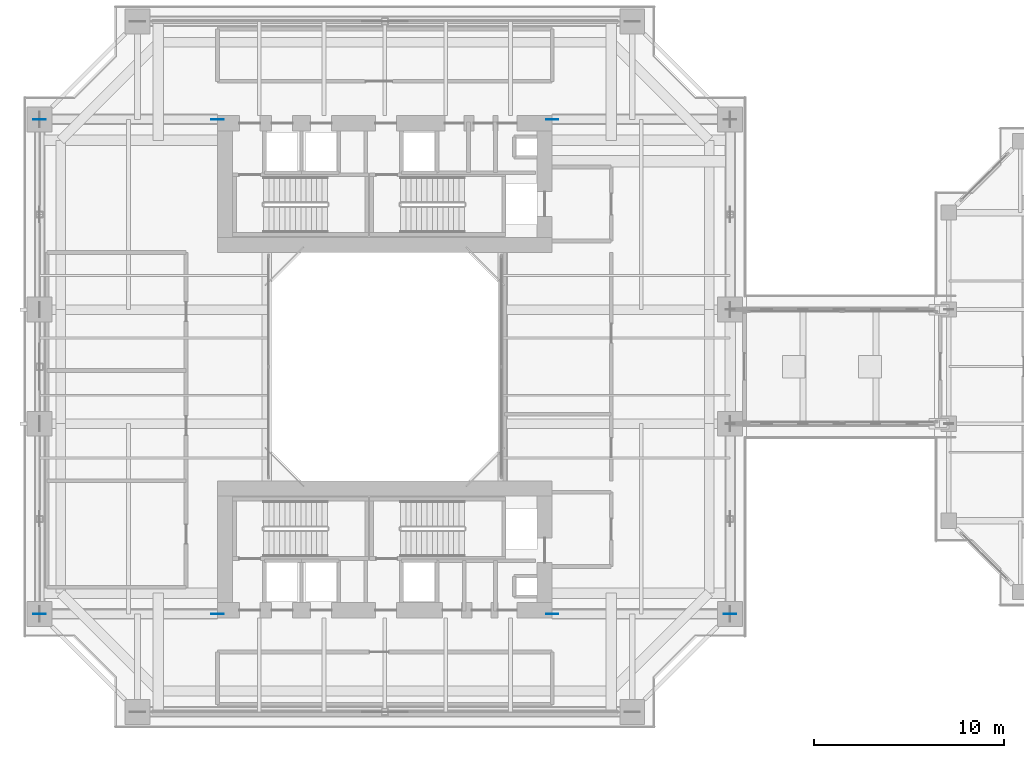
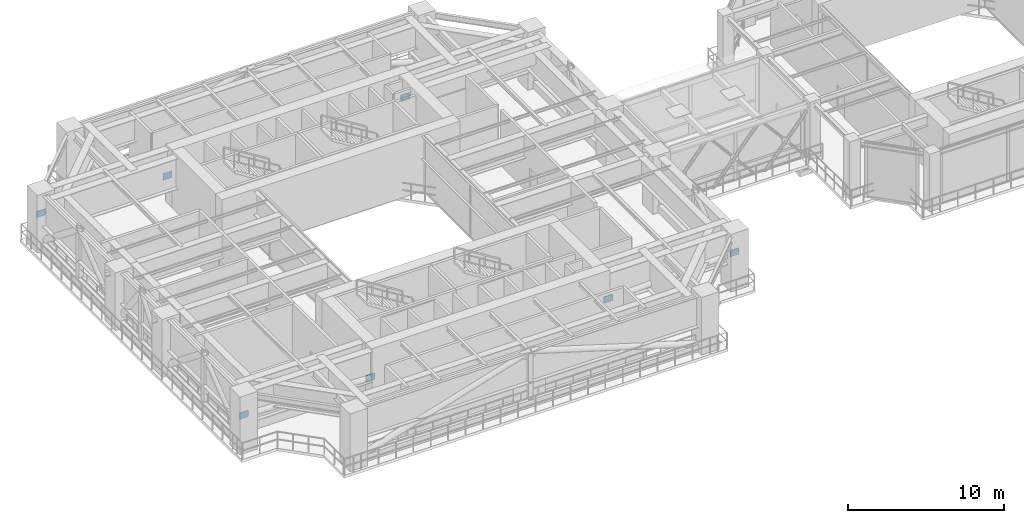
# One storey, part 15 of 25: 7 plates.
"""IFC4 building model written with IfcOpenShell, lengths in metres."""

import ifcopenshell
import ifcopenshell.guid

model = None  # the IFC model being written
_history = None  # IfcOwnerHistory: only IFC2X3 demands one
_inside = {}  # id of a spatial element -> (the spatial element, [elements in it])
_under = {}  # id of a project, library or spatial element -> (it, [spatial elements below it])
_declared = {}  # id of a project -> (the project, [libraries it declares])
_typed = {}  # id of a type object -> (the type object, [elements of that type])
_made_of = {}  # id of a material, layer set ... -> (it, [elements and type objects made of it])


def new_model(schema):
    """Start an empty IFC model of exactly this schema.

    Asked for "IFC4X3", IfcOpenShell would pick the latest addendum, in which some entities
    have other attributes; the version numbers below select the first issue.
    IFC2X3 requires an IfcOwnerHistory on every rooted entity: one is made here for all.
    """
    global model, _history
    if schema == "IFC4X3":
        model = ifcopenshell.file(schema_version=(4, 3, 0, 0))
    else:
        model = ifcopenshell.file(schema=schema)
    _inside.clear()
    _under.clear()
    _declared.clear()
    _typed.clear()
    _made_of.clear()
    _history = None
    if model.schema == "IFC2X3":
        org = make("IfcOrganization", Name="unknown")
        user = make(
            "IfcPersonAndOrganization",
            ThePerson=make("IfcPerson", FamilyName="unknown"),
            TheOrganization=org,
        )
        app = make(
            "IfcApplication",
            ApplicationDeveloper=org,
            Version="unknown",
            ApplicationFullName="unknown",
            ApplicationIdentifier="unknown",
        )
        _history = make(
            "IfcOwnerHistory",
            OwningUser=user,
            OwningApplication=app,
            ChangeAction="ADDED",
            CreationDate=0,
        )
    return model


def make(cls, **values):
    """One entity of the class cls with the attributes given. An attribute that is None is left unset."""
    return model.create_entity(
        cls, **{name: value for name, value in values.items() if value is not None}
    )


def rooted(cls, **values):
    """An entity with a GlobalId (a new one), such as an element, a storey or a relation."""
    return make(cls, GlobalId=ifcopenshell.guid.new(), OwnerHistory=_history, **values)


def si_unit(unit_type, name, prefix=None):
    """IfcSIUnit, for example si_unit("LENGTHUNIT", "METRE", prefix="MILLI")."""
    return make("IfcSIUnit", UnitType=unit_type, Prefix=prefix, Name=name)


def assignment(units):
    """IfcUnitAssignment: the units of a project."""
    return None if units is None else make("IfcUnitAssignment", Units=units)


def point(xyz):
    """IfcCartesianPoint."""
    return None if xyz is None else make("IfcCartesianPoint", Coordinates=xyz)


def direction(xyz):
    """IfcDirection."""
    return None if xyz is None else make("IfcDirection", DirectionRatios=xyz)


def frame(location, z_axis=None, x_axis=None):
    """IfcAxis2Placement3D, a coordinate frame: its origin and axes. An axis left out is left unset."""
    return make(
        "IfcAxis2Placement3D",
        Location=point(location),
        Axis=direction(z_axis),
        RefDirection=direction(x_axis),
    )


def frame_2d(location, x_axis=None):
    """IfcAxis2Placement2D, a coordinate frame in the plane: its origin and x axis."""
    return make(
        "IfcAxis2Placement2D", Location=point(location), RefDirection=direction(x_axis)
    )


def origin():
    """The frame at (0, 0, 0) with its axes left unset."""
    return frame((0.0, 0.0, 0.0))


def origin_2d():
    """The frame at (0, 0) in the plane with its x axis left unset."""
    return frame_2d((0.0, 0.0))


def place(relative_to, where):
    """IfcLocalPlacement: puts the frame where relative to a parent placement (None: the world)."""
    return make(
        "IfcLocalPlacement", PlacementRelTo=relative_to, RelativePlacement=where
    )


def context(
    kind, dimensions, precision=None, world=None, true_north=None, identifier=None
):
    """IfcGeometricRepresentationContext, for example the 3D "Model" context."""
    return make(
        "IfcGeometricRepresentationContext",
        ContextIdentifier=identifier,
        ContextType=kind,
        CoordinateSpaceDimension=dimensions,
        Precision=precision,
        WorldCoordinateSystem=world,
        TrueNorth=true_north,
    )


def subcontext(parent, identifier, kind, view, scale=None):
    """IfcGeometricRepresentationSubContext, for example "Body" below "Model"."""
    return make(
        "IfcGeometricRepresentationSubContext",
        ContextIdentifier=identifier,
        ContextType=kind,
        ParentContext=parent,
        TargetScale=scale,
        TargetView=view,
    )


def project(units=None, contexts=None):
    """IfcProject with its units and contexts."""
    return rooted(
        "IfcProject",
        Name="project",
        RepresentationContexts=contexts,
        UnitsInContext=assignment(units),
    )


def spatial(cls, under=None, at=None, **own):
    """A site, building, storey or space (cls), placed at a placement, below another one or the project."""
    s = rooted(cls, ObjectPlacement=at, **own)
    if under is not None:
        _under.setdefault(under.id(), (under, []))[1].append(s)
    return s


def profile(cls, at=None, kind="AREA", **sizes):
    """A parametric profile (cls). Its sizes go by their IFC names, for example OverallWidth=200.0."""
    return make(cls, ProfileType=kind, Position=at, **sizes)


def rectangle(**sizes):
    """IfcRectangleProfileDef."""
    return profile("IfcRectangleProfileDef", **sizes)


def extrude(swept, where, along, depth):
    """IfcExtrudedAreaSolid: the profile swept, set in the frame where, extruded along a direction by depth."""
    return make(
        "IfcExtrudedAreaSolid",
        SweptArea=swept,
        Position=where,
        ExtrudedDirection=direction(along),
        Depth=depth,
    )


def shape(context_of_items, identifier, shape_type, items):
    """IfcShapeRepresentation: the items that make up one representation, for example the "Body"."""
    return make(
        "IfcShapeRepresentation",
        ContextOfItems=context_of_items,
        RepresentationIdentifier=identifier,
        RepresentationType=shape_type,
        Items=items,
    )


def source(mapping_origin, context_of_items, identifier, shape_type, items):
    """IfcRepresentationMap: a shape defined once, which mapped items show again and again."""
    return make(
        "IfcRepresentationMap",
        MappingOrigin=mapping_origin,
        MappedRepresentation=shape(context_of_items, identifier, shape_type, items),
    )


def transform(
    local_origin,
    x_axis=None,
    y_axis=None,
    z_axis=None,
    scale=None,
    scale2=None,
    scale3=None,
    uniform=True,
):
    """IfcCartesianTransformationOperator3D, or its non-uniform kind. x_axis, y_axis, z_axis: its Axis1, 2, 3."""
    if uniform:
        return make(
            "IfcCartesianTransformationOperator3D",
            Axis1=direction(x_axis),
            Axis2=direction(y_axis),
            LocalOrigin=point(local_origin),
            Scale=scale,
            Axis3=direction(z_axis),
        )
    return make(
        "IfcCartesianTransformationOperator3DnonUniform",
        Axis1=direction(x_axis),
        Axis2=direction(y_axis),
        LocalOrigin=point(local_origin),
        Scale=scale,
        Axis3=direction(z_axis),
        Scale2=scale2,
        Scale3=scale3,
    )


def mapped(mapping_source, mapping_target):
    """IfcMappedItem: shows the shape of a source again, moved by a transform."""
    return make(
        "IfcMappedItem", MappingSource=mapping_source, MappingTarget=mapping_target
    )


def material(Name=None, Category=None):
    """IfcMaterial."""
    return make("IfcMaterial", Name=Name, Category=Category)


def layer(
    of_material, thickness, ventilated=None, Name=None, Category=None, Priority=None
):
    """IfcMaterialLayer: one layer of a wall or slab, of a material (None: an air gap)."""
    return make(
        "IfcMaterialLayer",
        Material=of_material,
        LayerThickness=thickness,
        IsVentilated=ventilated,
        Name=Name,
        Category=Category,
        Priority=Priority,
    )


def layer_set(layers, Name=None):
    """IfcMaterialLayerSet."""
    return make("IfcMaterialLayerSet", MaterialLayers=layers, LayerSetName=Name)


def made_of(thing, what):
    """Note that an element or type object is made of a material, layer set ...; save() writes the relation."""
    if what is not None:
        _made_of.setdefault(what.id(), (what, []))[1].append(thing)
    return thing


def type_object(cls, material=None, **own):
    """A type object (cls), such as IfcWallType, which elements share."""
    return made_of(rooted(cls, **own), material)


def element(
    cls,
    number,
    at=None,
    inside=None,
    cuts=None,
    type_object=None,
    material=None,
    context=None,
    identifier="Body",
    shape_type=None,
    held_by="IfcProductDefinitionShape",
    body=None,
    shapes=None,
    **own,
):
    """One element of the class cls, such as IfcWall. Its Tag is "e" and its number.

    at: its placement. inside: the storey or other place that contains it. cuts: it is an
    opening in that element (IfcRelVoidsElement). A single representation is given by context,
    identifier, shape_type and body (its items); several are given by shapes. held_by: the class
    of the entity that holds the representations. save() writes the other relations.
    """
    e = rooted(cls, Tag="e%d" % number, ObjectPlacement=at, **own)
    if body is not None:
        shapes = [shape(context, identifier, shape_type, body)]
    if shapes is not None:
        e.Representation = make(held_by, Representations=shapes)
    if inside is not None:
        _inside.setdefault(inside.id(), (inside, []))[1].append(e)
    if cuts is not None:
        rooted(
            "IfcRelVoidsElement", RelatingBuildingElement=cuts, RelatedOpeningElement=e
        )
    if type_object is not None:
        _typed.setdefault(type_object.id(), (type_object, []))[1].append(e)
    return made_of(e, material)


def aggregate(whole, parts):
    """IfcRelAggregates: a whole, such as a stair, and the parts it consists of."""
    return rooted("IfcRelAggregates", RelatingObject=whole, RelatedObjects=parts)


def save(model, path):
    """Write the relations noted so far, then the file.

    IfcRelAggregates (storeys below a building ...), IfcRelContainedInSpatialStructure (elements
    in a storey), IfcRelDefinesByType, IfcRelAssociatesMaterial and IfcRelDeclares: one each for
    every whole, place, type object, material and project.
    """
    for whole, parts in _under.values():
        aggregate(whole, parts)
    for where, things in _inside.values():
        rooted(
            "IfcRelContainedInSpatialStructure",
            RelatedElements=things,
            RelatingStructure=where,
        )
    for kind, things in _typed.values():
        rooted("IfcRelDefinesByType", RelatedObjects=things, RelatingType=kind)
    for what, things in _made_of.values():
        rooted("IfcRelAssociatesMaterial", RelatedObjects=things, RelatingMaterial=what)
    for by, libraries in _declared.values():
        rooted("IfcRelDeclares", RelatingContext=by, RelatedDefinitions=libraries)
    model.write(path)


model = new_model("IFC4")

# Units and contexts
model_context = context("Model", 3, precision=1e-05, world=origin(), true_north=direction((0.0, 1.0)))
body_context = subcontext(model_context, "Body", "Model", "MODEL_VIEW")
ifc_project = project(units=[si_unit("LENGTHUNIT", "METRE"), si_unit("AREAUNIT", "SQUARE_METRE"), si_unit("VOLUMEUNIT", "CUBIC_METRE"), si_unit("PLANEANGLEUNIT", "RADIAN"), si_unit("MASSUNIT", "GRAM", prefix="KILO"), si_unit("THERMODYNAMICTEMPERATUREUNIT", "KELVIN"), si_unit("POWERUNIT", "WATT")], contexts=[model_context])

# Site, building, storey
site_placement = place(None, origin())
site = spatial("IfcSite", under=ifc_project, at=site_placement, CompositionType="ELEMENT")
building_placement = place(site_placement, origin())
building = spatial("IfcBuilding", under=site, at=building_placement, Name="Qiaomeng Ring Towers", CompositionType="ELEMENT")
storey_placement = place(building_placement, frame((0.0, 0.0, 92.5)))
storey = spatial("IfcBuildingStorey", under=building, at=storey_placement, Name="L26", CompositionType="ELEMENT", Elevation=92.5)

# Plates
ifc_material = material(Name="Steel Q390GJC", Category="steel")
ifc_layer = layer(ifc_material, 0.031982421875, Name="Steel Q390GJC")
ifc_layer_set = layer_set([ifc_layer], Name="Steel Q390GJC")
plate_type = type_object("IfcPlateType", Name="STR-PL-GUSSET", PredefinedType="USERDEFINED", material=ifc_layer_set)
shared_shape = source(origin(), body_context, "Body", "SweptSolid", [
    extrude(rectangle(XDim=0.64990234375, YDim=0.035888671875, at=origin_2d()), origin(), (0.0, 0.0, 1.0), 0.5),
])
for number, where, z_axis, x_axis, name in (
    (1, (10.199951171875, 36.0, 1.89990234375), (0.0, 0.0, 1.0), (1.0, 0.0, 0.0), "L26 Outrigger Core Anchorage Gusset Plate W4"),
    (2, (0.85009765625, 36.0, 2.25), (0.0, 0.0, 1.0), (1.0, 0.0, 0.0), "L26 Outrigger Column Node Gusset Plate W4"),
    (3, (10.199951171875, 10.0, 1.89990234375), (0.0, 0.0, 1.0), (1.0, 0.0, 0.0), "L26 Outrigger Core Anchorage Gusset Plate W1"),
    (4, (0.85009765625, 10.0, 2.25), (0.0, 0.0, 1.0), (1.0, 0.0, 0.0), "L26 Outrigger Column Node Gusset Plate W1"),
    (5, (27.800048828125, 36.0, 1.89990234375), (0.0, 0.0, 1.0), (1.0, 0.0, 0.0), "L26 Outrigger Core Anchorage Gusset Plate E4"),
    (6, (27.800048828125, 10.0, 1.89990234375), (0.0, 0.0, 1.0), (1.0, 0.0, 0.0), "L26 Outrigger Core Anchorage Gusset Plate E1"),
    (7, (37.14990234375, 10.0, 2.25), (0.0, 0.0, 1.0), (1.0, 0.0, 0.0), "L26 Outrigger Column Node Gusset Plate E1"),
):
    element("IfcPlate", number, at=place(storey_placement, frame(where, z_axis=z_axis, x_axis=x_axis)), inside=storey, type_object=plate_type, Name=name, ObjectType="GUSSET PLATE", PredefinedType="USERDEFINED", context=body_context, shape_type="MappedRepresentation", body=[
        mapped(shared_shape, transform((0.0, 0.0, 0.0), x_axis=(1.0, 0.0, 0.0), y_axis=(0.0, 1.0, 0.0), z_axis=(0.0, 0.0, 1.0), scale=1.0)),
    ])

save(model, "model.ifc")
